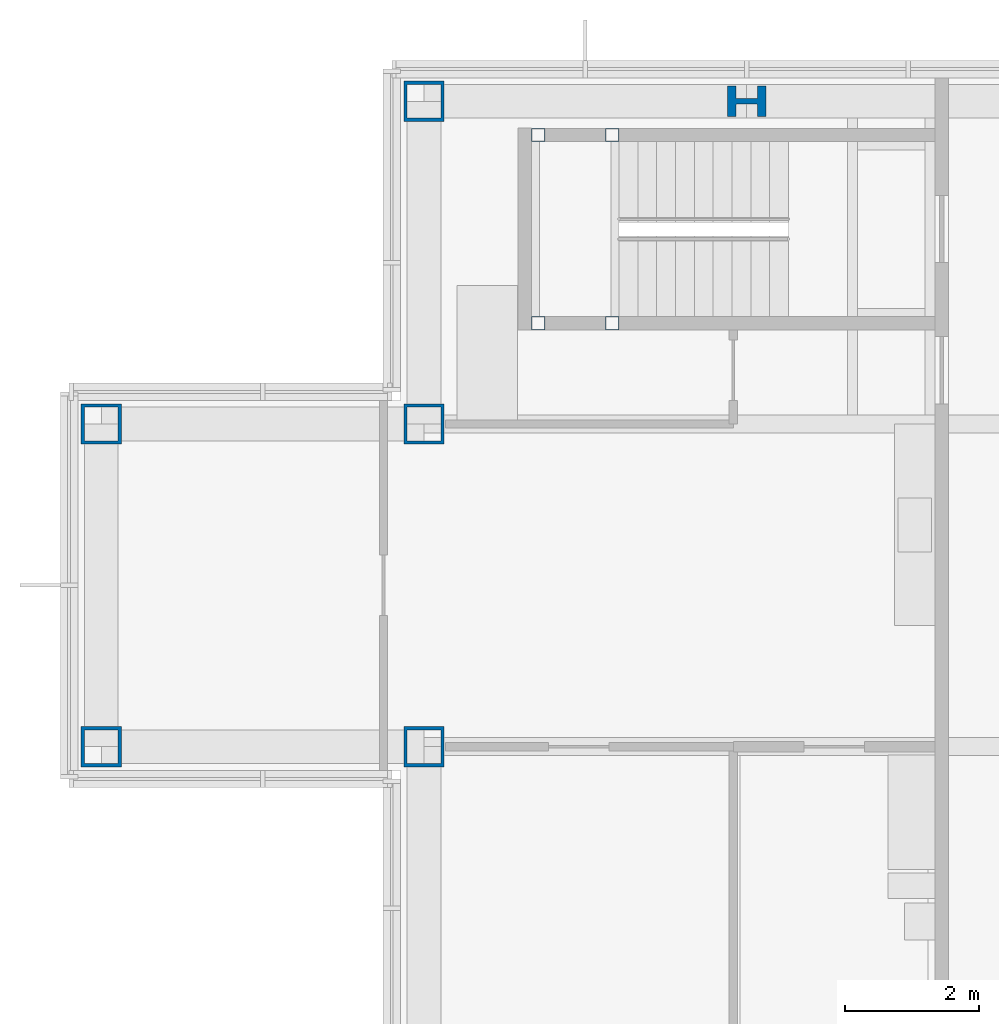
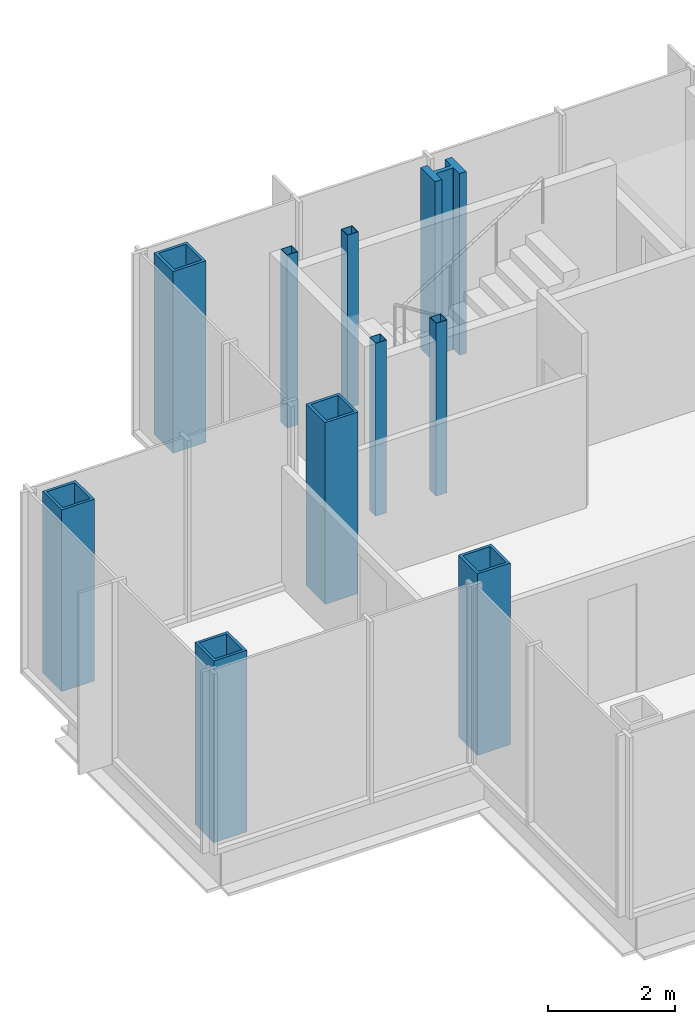
# One storey, part 3 of 15: 10 columns.
"""IFC4 building model written with IfcOpenShell, lengths in metres."""

from ifc_helpers import new_model, si_unit, direction, frame, origin, origin_2d, place, context, subcontext, project, spatial, hollow_rectangle, i_section, extrude, material, material_profile, profile_set, type_object, element, save


model = new_model("IFC4")

# Units and contexts
model_context = context("Model", 3, precision=1e-05, world=origin(), true_north=direction((0.0, 1.0)))
body_context = subcontext(model_context, "Body", "Model", "MODEL_VIEW")
ifc_project = project(units=[si_unit("LENGTHUNIT", "METRE"), si_unit("AREAUNIT", "SQUARE_METRE"), si_unit("VOLUMEUNIT", "CUBIC_METRE"), si_unit("PLANEANGLEUNIT", "RADIAN"), si_unit("MASSUNIT", "GRAM", prefix="KILO")], contexts=[model_context])

# Site, building, storey
site_placement = place(None, origin())
site = spatial("IfcSite", under=ifc_project, at=site_placement, CompositionType="ELEMENT")
building_placement = place(site_placement, origin())
building = spatial("IfcBuilding", under=site, at=building_placement, Name="Kvirike Care Tower", CompositionType="ELEMENT")
storey_placement = place(building_placement, frame((0.0, 0.0, 219.0)))
storey = spatial("IfcBuildingStorey", under=building, at=storey_placement, Name="L60", CompositionType="ELEMENT", Elevation=219.0)

# Columns
ifc_material_1 = material(Name="Steel S460", Category="steel")
ifc_material_profile_1 = material_profile(ifc_material_1, hollow_rectangle(XDim=0.60009765625, YDim=0.60009765625, WallThickness=0.050048828125, at=origin_2d()), Name="BX 600x600x50")
ifc_profile_set_1 = profile_set([ifc_material_profile_1], Name="Steel S460")
column_type_1 = type_object("IfcColumnType", Name="COLUMN BX 600x600x50", PredefinedType="COLUMN", material=ifc_profile_set_1)
for number, where, z_axis, x_axis, name in (
    (1, (0.0, 33.60009765625, 0.0), (0.0, 0.0, 1.0), (0.0, 1.0, 0.0), "Column H3 L60"),
    (2, (0.0, 38.39990234375, 0.0), (0.0, 0.0, 1.0), (0.0, 1.0, 0.0), "Column J3 L60"),
    (3, (4.800048828125, 33.60009765625, 0.0), (0.0, 0.0, 1.0), (0.0, 1.0, 0.0), "Column H4 L60"),
    (4, (4.800048828125, 38.39990234375, 0.0), (0.0, 0.0, 1.0), (0.0, 1.0, 0.0), "Column J4 L60"),
    (5, (4.800048828125, 43.199951171875, 0.0), (0.0, 0.0, 1.0), (0.0, 1.0, 0.0), "Column K4 L60"),
):
    element("IfcColumn", number, at=place(storey_placement, frame(where, z_axis=z_axis, x_axis=x_axis)), inside=storey, type_object=column_type_1, Name=name, PredefinedType="COLUMN", context=body_context, shape_type="SweptSolid", body=[
        extrude(hollow_rectangle(XDim=0.60009765625, YDim=0.60009765625, WallThickness=0.050048828125, at=origin_2d()), origin(), (0.0, 0.0, 1.0), 3.5),
    ])
ifc_material_2 = material(Name="Steel S460", Category="steel")
ifc_material_profile_2 = material_profile(ifc_material_2, i_section(OverallWidth=0.4541015625, OverallDepth=0.569091796875, WebThickness=0.077880859375, FlangeThickness=0.125, FilletRadius=0.014892578125, at=origin_2d()), Name="HD 400x1086")
ifc_profile_set_2 = profile_set([ifc_material_profile_2], Name="Steel S460")
column_type_2 = type_object("IfcColumnType", Name="COLUMN HD 400x1086", PredefinedType="COLUMN", material=ifc_profile_set_2)
column_placement = place(storey_placement, frame((9.60009765625, 43.199951171875, 0.0), z_axis=(0.0, 0.0, 1.0), x_axis=(0.0, 1.0, 0.0)))
element("IfcColumn", 6, at=column_placement, inside=storey, type_object=column_type_2, Name="Column K5 L60", PredefinedType="COLUMN", context=body_context, shape_type="SweptSolid", body=[
    extrude(i_section(OverallWidth=0.4541015625, OverallDepth=0.569091796875, WebThickness=0.077880859375, FlangeThickness=0.125, FilletRadius=0.014892578125, at=origin_2d()), origin(), (0.0, 0.0, 1.0), 3.5),
])
ifc_material_3 = material(Name="Steel S460", Category="steel")
ifc_material_profile_3 = material_profile(ifc_material_3, hollow_rectangle(XDim=0.199951171875, YDim=0.199951171875, WallThickness=0.008056640625, at=origin_2d()), Name="SHS 200x200x8")
ifc_profile_set_3 = profile_set([ifc_material_profile_3], Name="Steel S460")
column_type_3 = type_object("IfcColumnType", Name="STAIR POST SHS 200x200x8", PredefinedType="COLUMN", material=ifc_profile_set_3)
for number, where, z_axis, x_axis, name in (
    (7, (6.5, 42.699951171875, 0.0), (0.0, 0.0, 1.0), (1.0, 0.0, 0.0), "Stair 1 post 1 L60"),
    (8, (6.5, 39.89990234375, 0.0), (0.0, 0.0, 1.0), (1.0, 0.0, 0.0), "Stair 1 post 2 L60"),
    (9, (7.60009765625, 42.699951171875, 0.0), (0.0, 0.0, 1.0), (1.0, 0.0, 0.0), "Stair 1 post 3 L60"),
    (10, (7.60009765625, 39.89990234375, 0.0), (0.0, 0.0, 1.0), (1.0, 0.0, 0.0), "Stair 1 post 4 L60"),
):
    element("IfcColumn", number, at=place(storey_placement, frame(where, z_axis=z_axis, x_axis=x_axis)), inside=storey, type_object=column_type_3, Name=name, PredefinedType="COLUMN", context=body_context, shape_type="SweptSolid", body=[
        extrude(hollow_rectangle(XDim=0.199951171875, YDim=0.199951171875, WallThickness=0.008056640625, at=origin_2d()), origin(), (0.0, 0.0, 1.0), 3.330078125),
    ])

save(model, "model.ifc")
